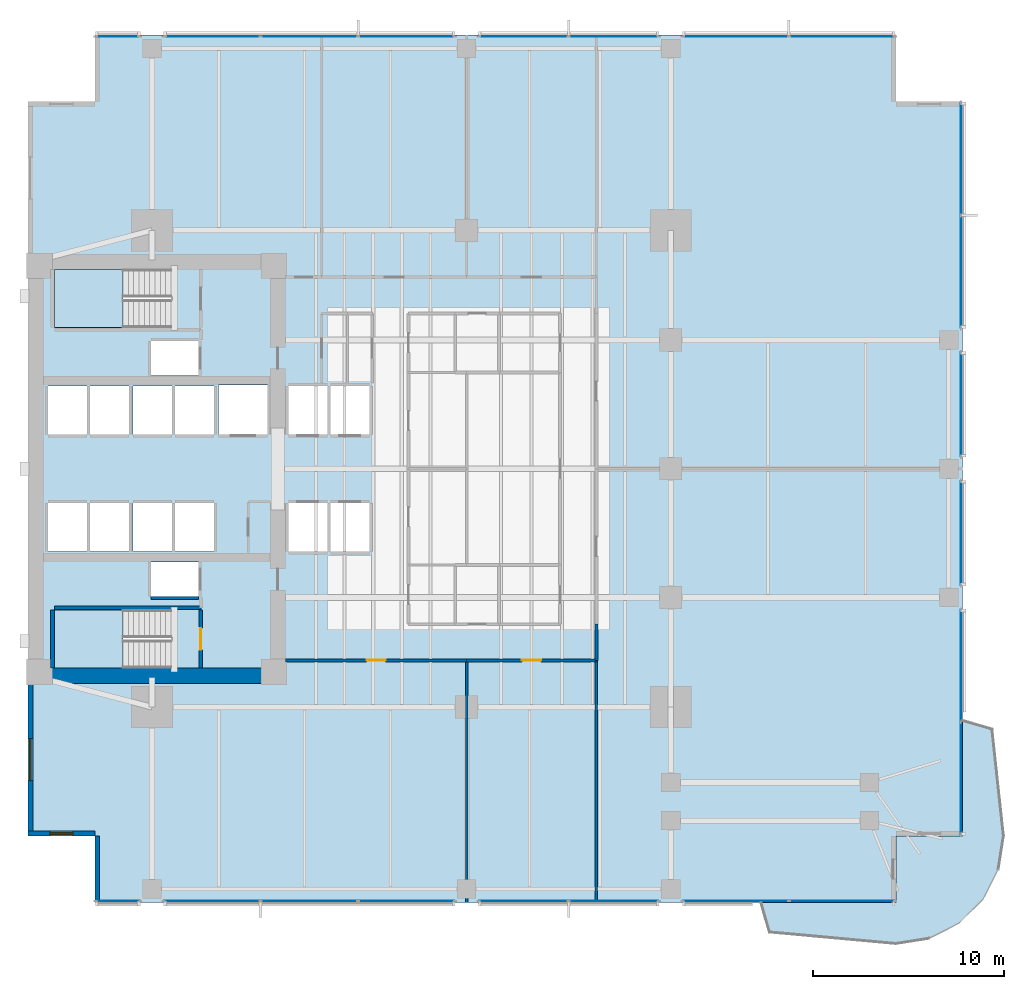
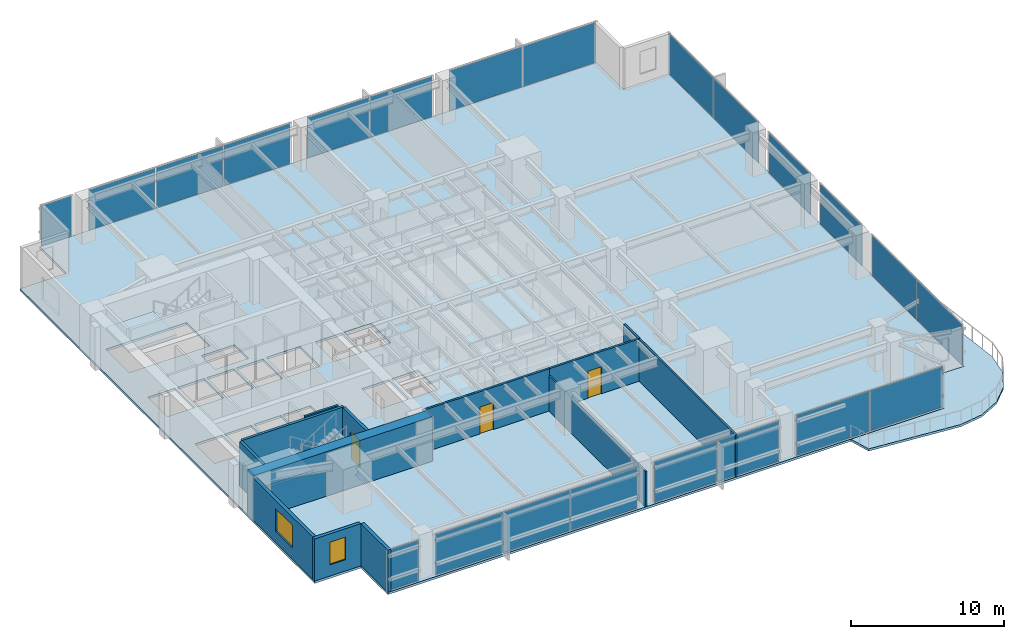
# One storey, part 7 of 15: 22 plates, 13 walls, 4 slabs, 3 doors, 2 windows, 5 openings, 14 elements without a shape of their own.
"""IFC4 building model written with IfcOpenShell, lengths in metres."""

from ifc_helpers import new_model, si_unit, direction, frame, frame_2d, origin, origin_2d, place, context, subcontext, project, spatial, polyline, rectangle, outline, extrude, material, layer, layer_set, type_object, element, fill, aggregate, save


model = new_model("IFC4")

# Units and contexts
model_context = context("Model", 3, precision=1e-05, world=origin(), true_north=direction((0.0, 1.0)))
body_context = subcontext(model_context, "Body", "Model", "MODEL_VIEW")
ifc_project = project(units=[si_unit("LENGTHUNIT", "METRE"), si_unit("AREAUNIT", "SQUARE_METRE"), si_unit("VOLUMEUNIT", "CUBIC_METRE"), si_unit("PLANEANGLEUNIT", "RADIAN"), si_unit("MASSUNIT", "GRAM", prefix="KILO")], contexts=[model_context])

# Site, building, storey
site_placement = place(None, origin())
site = spatial("IfcSite", under=ifc_project, at=site_placement, CompositionType="ELEMENT")
building_placement = place(site_placement, origin())
building = spatial("IfcBuilding", under=site, at=building_placement, Name="Kinhvarn Gate Tower", CompositionType="ELEMENT")
storey_placement = place(building_placement, frame((0.0, 0.0, 36.25)))
storey = spatial("IfcBuildingStorey", under=building, at=storey_placement, Name="L08", CompositionType="ELEMENT", Elevation=36.25)

# Curtain wall, plate
ifc_material_1 = material(Name="Anodised aluminium AW-6063", Category="aluminium")
ifc_layer_1 = layer(ifc_material_1, 0.179931640625)
ifc_layer_set_1 = layer_set([ifc_layer_1], Name="Anodised aluminium AW-6063")
curtain_wall_type = type_object("IfcCurtainWallType", Name="CW-SYS-2", PredefinedType="NOTDEFINED", material=ifc_layer_set_1)
curtain_wall_1_placement = place(storey_placement, origin())
curtain_wall_1 = element("IfcCurtainWall", 1, at=curtain_wall_1_placement, inside=storey, type_object=curtain_wall_type, Name="Curtain Wall CW2 (L08)", PredefinedType="NOTDEFINED")
ifc_material_2 = material(Name="Clear low-e double glazing", Category="glass")
ifc_layer_2 = layer(ifc_material_2, 0.031982421875)
ifc_layer_set_2 = layer_set([ifc_layer_2], Name="Clear low-e double glazing")
plate_type = type_object("IfcPlateType", Name="CW-PNL-VIS", PredefinedType="CURTAIN_PANEL", material=ifc_layer_set_2)
plate_1_placement = place(storey_placement, frame((9.2099609375, 2.590087890625, 0.070068359375), z_axis=(0.0, 0.0, 1.0), x_axis=(1.0, 0.0, 0.0)))
plate_1 = element("IfcPlate", 2, at=plate_1_placement, type_object=plate_type, Name="CW2 panel 1.1", PredefinedType="CURTAIN_PANEL", context=body_context, shape_type="SweptSolid", body=[
    extrude(rectangle(XDim=2.280029296875, YDim=0.031982421875, at=origin_2d()), origin(), (0.0, 0.0, 1.0), 3.22998046875),
])
aggregate(curtain_wall_1, [plate_1])

# Curtain wall, plates
curtain_wall_2_placement = place(storey_placement, origin())
curtain_wall_2 = element("IfcCurtainWall", 3, at=curtain_wall_2_placement, inside=storey, type_object=curtain_wall_type, Name="Curtain Wall CW2 (L08)", PredefinedType="NOTDEFINED")
plate_2_placement = place(storey_placement, frame((14.154052734375, 2.590087890625, 0.070068359375), z_axis=(0.0, 0.0, 1.0), x_axis=(1.0, 0.0, 0.0)))
plate_2 = element("IfcPlate", 4, at=plate_2_placement, type_object=plate_type, Name="CW2 panel 1.1", PredefinedType="CURTAIN_PANEL", context=body_context, shape_type="SweptSolid", body=[
    extrude(rectangle(XDim=5.00830078125, YDim=0.031982421875, at=origin_2d()), origin(), (0.0, 0.0, 1.0), 3.22998046875),
])
plate_3_placement = place(storey_placement, frame((19.25, 2.590087890625, 0.070068359375), z_axis=(0.0, 0.0, 1.0), x_axis=(1.0, 0.0, 0.0)))
plate_3 = element("IfcPlate", 5, at=plate_3_placement, type_object=plate_type, Name="CW2 panel 2.1", PredefinedType="CURTAIN_PANEL", context=body_context, shape_type="SweptSolid", body=[
    extrude(rectangle(XDim=5.043212890625, YDim=0.031982421875, at=origin_2d()), origin(), (0.0, 0.0, 1.0), 3.22998046875),
])
plate_4_placement = place(storey_placement, frame((24.345947265625, 2.590087890625, 0.070068359375), z_axis=(0.0, 0.0, 1.0), x_axis=(1.0, 0.0, 0.0)))
plate_4 = element("IfcPlate", 6, at=plate_4_placement, type_object=plate_type, Name="CW2 panel 3.1", PredefinedType="CURTAIN_PANEL", context=body_context, shape_type="SweptSolid", body=[
    extrude(rectangle(XDim=5.00830078125, YDim=0.031982421875, at=origin_2d()), origin(), (0.0, 0.0, 1.0), 3.22998046875),
])
aggregate(curtain_wall_2, [plate_2, plate_3, plate_4])

curtain_wall_3_placement = place(storey_placement, origin())
curtain_wall_3 = element("IfcCurtainWall", 7, at=curtain_wall_3_placement, inside=storey, type_object=curtain_wall_type, Name="Curtain Wall CW2 (L08)", PredefinedType="NOTDEFINED")
plate_5_placement = place(storey_placement, frame((30.482421875, 2.590087890625, 0.070068359375), z_axis=(0.0, 0.0, 1.0), x_axis=(1.0, 0.0, 0.0)))
plate_5 = element("IfcPlate", 8, at=plate_5_placement, type_object=plate_type, Name="CW2 panel 1.1", PredefinedType="CURTAIN_PANEL", context=body_context, shape_type="SweptSolid", body=[
    extrude(rectangle(XDim=4.6650390625, YDim=0.031982421875, at=origin_2d()), origin(), (0.0, 0.0, 1.0), 3.22998046875),
])
plate_6_placement = place(storey_placement, frame((35.217529296875, 2.590087890625, 0.070068359375), z_axis=(0.0, 0.0, 1.0), x_axis=(1.0, 0.0, 0.0)))
plate_6 = element("IfcPlate", 9, at=plate_6_placement, type_object=plate_type, Name="CW2 panel 2.1", PredefinedType="CURTAIN_PANEL", context=body_context, shape_type="SweptSolid", body=[
    extrude(rectangle(XDim=4.6650390625, YDim=0.031982421875, at=origin_2d()), origin(), (0.0, 0.0, 1.0), 3.22998046875),
])
aggregate(curtain_wall_3, [plate_5, plate_6])

curtain_wall_4_placement = place(storey_placement, origin())
curtain_wall_4 = element("IfcCurtainWall", 10, at=curtain_wall_4_placement, inside=storey, type_object=curtain_wall_type, Name="Curtain Wall CW2 (L08)", PredefinedType="NOTDEFINED")
plate_7_placement = place(storey_placement, frame((41.6025390625, 2.590087890625, 0.070068359375), z_axis=(0.0, 0.0, 1.0), x_axis=(1.0, 0.0, 0.0)))
plate_7 = element("IfcPlate", 11, at=plate_7_placement, type_object=plate_type, Name="CW2 panel 1.1", PredefinedType="CURTAIN_PANEL", context=body_context, shape_type="SweptSolid", body=[
    extrude(rectangle(XDim=5.5048828125, YDim=0.031982421875, at=origin_2d()), origin(), (0.0, 0.0, 1.0), 3.22998046875),
])
plate_8_placement = place(storey_placement, frame((47.177490234375, 2.590087890625, 0.070068359375), z_axis=(0.0, 0.0, 1.0), x_axis=(1.0, 0.0, 0.0)))
plate_8 = element("IfcPlate", 12, at=plate_8_placement, type_object=plate_type, Name="CW2 panel 2.1", PredefinedType="CURTAIN_PANEL", context=body_context, shape_type="SweptSolid", body=[
    extrude(rectangle(XDim=5.5048828125, YDim=0.031982421875, at=origin_2d()), origin(), (0.0, 0.0, 1.0), 3.22998046875),
])
aggregate(curtain_wall_4, [plate_7, plate_8])

curtain_wall_5_placement = place(storey_placement, origin())
curtain_wall_5 = element("IfcCurtainWall", 13, at=curtain_wall_5_placement, inside=storey, type_object=curtain_wall_type, Name="Curtain Wall CW2 (L08)", PredefinedType="NOTDEFINED")
plate_9_placement = place(storey_placement, frame((47.177490234375, 47.909912109375, 0.070068359375), z_axis=(0.0, 0.0, 1.0), x_axis=(-1.0, 0.0, 0.0)))
plate_9 = element("IfcPlate", 14, at=plate_9_placement, type_object=plate_type, Name="CW2 panel 1.1", PredefinedType="CURTAIN_PANEL", context=body_context, shape_type="SweptSolid", body=[
    extrude(rectangle(XDim=5.5048828125, YDim=0.031982421875, at=origin_2d()), origin(), (0.0, 0.0, 1.0), 3.22998046875),
])
plate_10_placement = place(storey_placement, frame((41.6025390625, 47.909912109375, 0.070068359375), z_axis=(0.0, 0.0, 1.0), x_axis=(-1.0, 0.0, 0.0)))
plate_10 = element("IfcPlate", 15, at=plate_10_placement, type_object=plate_type, Name="CW2 panel 2.1", PredefinedType="CURTAIN_PANEL", context=body_context, shape_type="SweptSolid", body=[
    extrude(rectangle(XDim=5.5048828125, YDim=0.031982421875, at=origin_2d()), origin(), (0.0, 0.0, 1.0), 3.22998046875),
])
aggregate(curtain_wall_5, [plate_9, plate_10])

curtain_wall_6_placement = place(storey_placement, origin())
curtain_wall_6 = element("IfcCurtainWall", 16, at=curtain_wall_6_placement, inside=storey, type_object=curtain_wall_type, Name="Curtain Wall CW2 (L08)", PredefinedType="NOTDEFINED")
plate_11_placement = place(storey_placement, frame((35.217529296875, 47.909912109375, 0.070068359375), z_axis=(0.0, 0.0, 1.0), x_axis=(-1.0, 0.0, 0.0)))
plate_11 = element("IfcPlate", 17, at=plate_11_placement, type_object=plate_type, Name="CW2 panel 1.1", PredefinedType="CURTAIN_PANEL", context=body_context, shape_type="SweptSolid", body=[
    extrude(rectangle(XDim=4.6650390625, YDim=0.031982421875, at=origin_2d()), origin(), (0.0, 0.0, 1.0), 3.22998046875),
])
plate_12_placement = place(storey_placement, frame((30.482421875, 47.909912109375, 0.070068359375), z_axis=(0.0, 0.0, 1.0), x_axis=(-1.0, 0.0, 0.0)))
plate_12 = element("IfcPlate", 18, at=plate_12_placement, type_object=plate_type, Name="CW2 panel 2.1", PredefinedType="CURTAIN_PANEL", context=body_context, shape_type="SweptSolid", body=[
    extrude(rectangle(XDim=4.6650390625, YDim=0.031982421875, at=origin_2d()), origin(), (0.0, 0.0, 1.0), 3.22998046875),
])
aggregate(curtain_wall_6, [plate_11, plate_12])

curtain_wall_7_placement = place(storey_placement, origin())
curtain_wall_7 = element("IfcCurtainWall", 19, at=curtain_wall_7_placement, inside=storey, type_object=curtain_wall_type, Name="Curtain Wall CW2 (L08)", PredefinedType="NOTDEFINED")
plate_13_placement = place(storey_placement, frame((24.345947265625, 47.909912109375, 0.070068359375), z_axis=(0.0, 0.0, 1.0), x_axis=(-1.0, 0.0, 0.0)))
plate_13 = element("IfcPlate", 20, at=plate_13_placement, type_object=plate_type, Name="CW2 panel 1.1", PredefinedType="CURTAIN_PANEL", context=body_context, shape_type="SweptSolid", body=[
    extrude(rectangle(XDim=5.00830078125, YDim=0.031982421875, at=origin_2d()), origin(), (0.0, 0.0, 1.0), 3.22998046875),
])
plate_14_placement = place(storey_placement, frame((19.25, 47.909912109375, 0.070068359375), z_axis=(0.0, 0.0, 1.0), x_axis=(-1.0, 0.0, 0.0)))
plate_14 = element("IfcPlate", 21, at=plate_14_placement, type_object=plate_type, Name="CW2 panel 2.1", PredefinedType="CURTAIN_PANEL", context=body_context, shape_type="SweptSolid", body=[
    extrude(rectangle(XDim=5.043212890625, YDim=0.031982421875, at=origin_2d()), origin(), (0.0, 0.0, 1.0), 3.22998046875),
])
plate_15_placement = place(storey_placement, frame((14.154052734375, 47.909912109375, 0.070068359375), z_axis=(0.0, 0.0, 1.0), x_axis=(-1.0, 0.0, 0.0)))
plate_15 = element("IfcPlate", 22, at=plate_15_placement, type_object=plate_type, Name="CW2 panel 3.1", PredefinedType="CURTAIN_PANEL", context=body_context, shape_type="SweptSolid", body=[
    extrude(rectangle(XDim=5.00830078125, YDim=0.031982421875, at=origin_2d()), origin(), (0.0, 0.0, 1.0), 3.22998046875),
])
aggregate(curtain_wall_7, [plate_13, plate_14, plate_15])

# Curtain wall, plate
curtain_wall_8_placement = place(storey_placement, origin())
curtain_wall_8 = element("IfcCurtainWall", 23, at=curtain_wall_8_placement, inside=storey, type_object=curtain_wall_type, Name="Curtain Wall CW2 (L08)", PredefinedType="NOTDEFINED")
plate_16_placement = place(storey_placement, frame((9.2099609375, 47.909912109375, 0.070068359375), z_axis=(0.0, 0.0, 1.0), x_axis=(-1.0, 0.0, 0.0)))
plate_16 = element("IfcPlate", 24, at=plate_16_placement, type_object=plate_type, Name="CW2 panel 1.1", PredefinedType="CURTAIN_PANEL", context=body_context, shape_type="SweptSolid", body=[
    extrude(rectangle(XDim=2.280029296875, YDim=0.031982421875, at=origin_2d()), origin(), (0.0, 0.0, 1.0), 3.22998046875),
])
aggregate(curtain_wall_8, [plate_16])

# Curtain wall, plates
curtain_wall_9_placement = place(storey_placement, origin())
curtain_wall_9 = element("IfcCurtainWall", 25, at=curtain_wall_9_placement, inside=storey, type_object=curtain_wall_type, Name="Curtain Wall CW2 (L08)", PredefinedType="NOTDEFINED")
plate_17_placement = place(storey_placement, frame((53.409912109375, 8.99755859375, 0.070068359375), z_axis=(0.0, 0.0, 1.0), x_axis=(0.0, 1.0, 0.0)))
plate_17 = element("IfcPlate", 26, at=plate_17_placement, type_object=plate_type, Name="CW2 panel 1.1", PredefinedType="CURTAIN_PANEL", context=body_context, shape_type="SweptSolid", body=[
    extrude(rectangle(XDim=5.85498046875, YDim=0.031982421875, at=origin_2d()), origin(), (0.0, 0.0, 1.0), 3.22998046875),
])
plate_18_placement = place(storey_placement, frame((53.409912109375, 14.922607421875, 0.070068359375), z_axis=(0.0, 0.0, 1.0), x_axis=(0.0, 1.0, 0.0)))
plate_18 = element("IfcPlate", 27, at=plate_18_placement, type_object=plate_type, Name="CW2 panel 2.1", PredefinedType="CURTAIN_PANEL", context=body_context, shape_type="SweptSolid", body=[
    extrude(rectangle(XDim=5.85498046875, YDim=0.031982421875, at=origin_2d()), origin(), (0.0, 0.0, 1.0), 3.22998046875),
])
aggregate(curtain_wall_9, [plate_17, plate_18])

# Curtain wall, plate
curtain_wall_10_placement = place(storey_placement, origin())
curtain_wall_10 = element("IfcCurtainWall", 28, at=curtain_wall_10_placement, inside=storey, type_object=curtain_wall_type, Name="Curtain Wall CW2 (L08)", PredefinedType="NOTDEFINED")
plate_19_placement = place(storey_placement, frame((53.409912109375, 21.875, 0.070068359375), z_axis=(0.0, 0.0, 1.0), x_axis=(0.0, 1.0, 0.0)))
plate_19 = element("IfcPlate", 29, at=plate_19_placement, type_object=plate_type, Name="CW2 panel 1.1", PredefinedType="CURTAIN_PANEL", context=body_context, shape_type="SweptSolid", body=[
    extrude(rectangle(XDim=5.449951171875, YDim=0.031982421875, at=origin_2d()), origin(), (0.0, 0.0, 1.0), 3.22998046875),
])
aggregate(curtain_wall_10, [plate_19])

curtain_wall_11_placement = place(storey_placement, origin())
curtain_wall_11 = element("IfcCurtainWall", 30, at=curtain_wall_11_placement, inside=storey, type_object=curtain_wall_type, Name="Curtain Wall CW2 (L08)", PredefinedType="NOTDEFINED")
plate_20_placement = place(storey_placement, frame((53.409912109375, 28.625, 0.070068359375), z_axis=(0.0, 0.0, 1.0), x_axis=(0.0, 1.0, 0.0)))
plate_20 = element("IfcPlate", 31, at=plate_20_placement, type_object=plate_type, Name="CW2 panel 1.1", PredefinedType="CURTAIN_PANEL", context=body_context, shape_type="SweptSolid", body=[
    extrude(rectangle(XDim=5.449951171875, YDim=0.031982421875, at=origin_2d()), origin(), (0.0, 0.0, 1.0), 3.22998046875),
])
aggregate(curtain_wall_11, [plate_20])

# Curtain wall, plates
curtain_wall_12_placement = place(storey_placement, origin())
curtain_wall_12 = element("IfcCurtainWall", 32, at=curtain_wall_12_placement, inside=storey, type_object=curtain_wall_type, Name="Curtain Wall CW2 (L08)", PredefinedType="NOTDEFINED")
plate_21_placement = place(storey_placement, frame((53.409912109375, 35.577392578125, 0.070068359375), z_axis=(0.0, 0.0, 1.0), x_axis=(0.0, 1.0, 0.0)))
plate_21 = element("IfcPlate", 33, at=plate_21_placement, type_object=plate_type, Name="CW2 panel 1.1", PredefinedType="CURTAIN_PANEL", context=body_context, shape_type="SweptSolid", body=[
    extrude(rectangle(XDim=5.85498046875, YDim=0.031982421875, at=origin_2d()), origin(), (0.0, 0.0, 1.0), 3.22998046875),
])
plate_22_placement = place(storey_placement, frame((53.409912109375, 41.50244140625, 0.070068359375), z_axis=(0.0, 0.0, 1.0), x_axis=(0.0, 1.0, 0.0)))
plate_22 = element("IfcPlate", 34, at=plate_22_placement, type_object=plate_type, Name="CW2 panel 2.1", PredefinedType="CURTAIN_PANEL", context=body_context, shape_type="SweptSolid", body=[
    extrude(rectangle(XDim=5.85498046875, YDim=0.031982421875, at=origin_2d()), origin(), (0.0, 0.0, 1.0), 3.22998046875),
])
aggregate(curtain_wall_12, [plate_21, plate_22])

# Slabs
ifc_material_3 = material(Name="Precast white architectural concrete C40/50", Category="concrete")
ifc_layer_3 = layer(ifc_material_3, 0.179931640625)
ifc_layer_set_3 = layer_set([ifc_layer_3], Name="Precast white architectural concrete C40/50")
slab_type_1 = type_object("IfcSlabType", Name="SLB-BAL-180", PredefinedType="FLOOR", material=ifc_layer_set_3)
slab_1_placement = place(storey_placement, frame((0.0, 0.0, -0.179931640625)))
element("IfcSlab", 35, at=slab_1_placement, inside=storey, type_object=slab_type_1, Name="S-Carve Curved Terrace Balcony Slab L08 (SE)", PredefinedType="FLOOR", context=body_context, shape_type="SweptSolid", body=[
    extrude(outline(polyline([(42.93603515625, 2.5), (43.385986328125, 0.951904296875), (50.0, 0.35009765625), (51.745849609375, 0.62646484375), (53.321044921875, 1.42919921875), (54.57080078125, 2.678955078125), (55.37353515625, 4.254150390625), (55.64990234375, 6.0), (55.048095703125, 11.590087890625), (53.5, 12.0400390625), (53.5, 6.0), (50.0, 6.0), (50.0, 2.5), (42.93603515625, 2.5)])), origin(), (0.0, 0.0, 1.0), 0.179931640625),
])
ifc_material_4 = material(Name="Concrete C40/50", Category="concrete")
ifc_layer_4 = layer(ifc_material_4, 0.179931640625)
ifc_layer_set_4 = layer_set([ifc_layer_4], Name="Concrete C40/50")
slab_type_2 = type_object("IfcSlabType", Name="SLB-FLR-180", PredefinedType="FLOOR", material=ifc_layer_set_4)
slab_2_placement = place(storey_placement, frame((0.0, 0.0, -0.179931640625)))
element("IfcSlab", 36, at=slab_2_placement, inside=storey, type_object=slab_type_2, Name="Suspended Floor Slab L08", PredefinedType="FLOOR", context=body_context, shape_type="SweptSolid", body=[
    extrude(outline(polyline([(8.0, 2.5), (50.0, 2.5), (50.0, 6.0), (53.5, 6.0), (53.5, 44.5), (50.0, 44.5), (50.0, 48.0), (8.0, 48.0), (8.0, 44.5), (4.5, 44.5), (4.5, 6.0), (8.0, 6.0), (8.0, 2.5)]), holes=[polyline([(5.89990234375, 14.800048828125), (12.0, 14.800048828125), (12.0, 17.85009765625), (5.89990234375, 17.85009765625), (5.89990234375, 14.800048828125)]), polyline([(5.89990234375, 32.64990234375), (12.0, 32.64990234375), (12.0, 35.699951171875), (5.89990234375, 35.699951171875), (5.89990234375, 32.64990234375)]), polyline([(18.14990234375, 20.89990234375), (20.199951171875, 20.89990234375), (20.199951171875, 23.449951171875), (18.14990234375, 23.449951171875), (18.14990234375, 20.89990234375)]), polyline([(20.35009765625, 20.89990234375), (22.39990234375, 20.89990234375), (22.39990234375, 23.449951171875), (20.35009765625, 23.449951171875), (20.35009765625, 20.89990234375)]), polyline([(18.14990234375, 27.050048828125), (20.199951171875, 27.050048828125), (20.199951171875, 29.60009765625), (18.14990234375, 29.60009765625), (18.14990234375, 27.050048828125)]), polyline([(20.35009765625, 27.050048828125), (22.39990234375, 27.050048828125), (22.39990234375, 29.60009765625), (20.35009765625, 29.60009765625), (20.35009765625, 27.050048828125)]), polyline([(5.550048828125, 20.89990234375), (7.60009765625, 20.89990234375), (7.60009765625, 23.449951171875), (5.550048828125, 23.449951171875), (5.550048828125, 20.89990234375)]), polyline([(7.75, 20.89990234375), (9.800048828125, 20.89990234375), (9.800048828125, 23.449951171875), (7.75, 23.449951171875), (7.75, 20.89990234375)]), polyline([(5.550048828125, 27.050048828125), (7.60009765625, 27.050048828125), (7.60009765625, 29.60009765625), (5.550048828125, 29.60009765625), (5.550048828125, 27.050048828125)]), polyline([(7.75, 27.050048828125), (9.800048828125, 27.050048828125), (9.800048828125, 29.60009765625), (7.75, 29.60009765625), (7.75, 27.050048828125)]), polyline([(10.0, 20.89990234375), (12.050048828125, 20.89990234375), (12.050048828125, 23.449951171875), (10.0, 23.449951171875), (10.0, 20.89990234375)]), polyline([(12.199951171875, 20.89990234375), (14.25, 20.89990234375), (14.25, 23.449951171875), (12.199951171875, 23.449951171875), (12.199951171875, 20.89990234375)]), polyline([(10.0, 27.050048828125), (12.050048828125, 27.050048828125), (12.050048828125, 29.60009765625), (10.0, 29.60009765625), (10.0, 27.050048828125)]), polyline([(12.199951171875, 27.050048828125), (14.25, 27.050048828125), (14.25, 29.60009765625), (12.199951171875, 29.60009765625), (12.199951171875, 27.050048828125)]), polyline([(14.5, 27.050048828125), (17.050048828125, 27.050048828125), (17.050048828125, 29.64990234375), (14.5, 29.64990234375), (14.5, 27.050048828125)]), polyline([(10.949951171875, 18.550048828125), (13.449951171875, 18.550048828125), (13.449951171875, 20.35009765625), (10.949951171875, 20.35009765625), (10.949951171875, 18.550048828125)]), polyline([(10.949951171875, 30.14990234375), (13.449951171875, 30.14990234375), (13.449951171875, 31.949951171875), (10.949951171875, 31.949951171875), (10.949951171875, 30.14990234375)])]), origin(), (0.0, 0.0, 1.0), 0.179931640625),
])

# Stair, slab
stair_type = type_object("IfcStairType", Name="STR-DLG-177", PredefinedType="HALF_TURN_STAIR", material=ifc_material_4)
stair_1_placement = place(storey_placement, origin())
stair_1 = element("IfcStair", 37, at=stair_1_placement, inside=storey, type_object=stair_type, Name="L08 Core Smokeproof Exit Stair ST1", PredefinedType="HALF_TURN_STAIR")
ifc_layer_5 = layer(ifc_material_4, 0.199951171875)
ifc_layer_set_5 = layer_set([ifc_layer_5], Name="Concrete C40/50")
slab_type_3 = type_object("IfcSlabType", Name="SLB-ST-LND", PredefinedType="LANDING", material=ifc_layer_set_5)
slab_3_placement = place(storey_placement, frame((0.0, 0.0, 1.574951171875)))
slab_3 = element("IfcSlab", 38, at=slab_3_placement, type_object=slab_type_3, Name="ST1 landing 1", PredefinedType="LANDING", context=body_context, shape_type="SweptSolid", body=[
    extrude(outline(polyline([(9.47998046875, 17.85009765625), (5.89990234375, 17.85009765625), (5.89990234375, 14.800048828125), (9.47998046875, 14.800048828125), (9.47998046875, 17.85009765625)])), origin(), (0.0, 0.0, 1.0), 0.199951171875),
])
aggregate(stair_1, [slab_3])

stair_2_placement = place(storey_placement, origin())
stair_2 = element("IfcStair", 39, at=stair_2_placement, inside=storey, type_object=stair_type, Name="L08 Core Smokeproof Exit Stair ST2", PredefinedType="HALF_TURN_STAIR")
slab_4_placement = place(storey_placement, frame((0.0, 0.0, 1.574951171875)))
slab_4 = element("IfcSlab", 40, at=slab_4_placement, type_object=slab_type_3, Name="ST2 landing 1", PredefinedType="LANDING", context=body_context, shape_type="SweptSolid", body=[
    extrude(outline(polyline([(9.47998046875, 35.699951171875), (5.89990234375, 35.699951171875), (5.89990234375, 32.64990234375), (9.47998046875, 32.64990234375), (9.47998046875, 35.699951171875)])), origin(), (0.0, 0.0, 1.0), 0.199951171875),
])
aggregate(stair_2, [slab_4])

# Wall
ifc_material_5 = material(Name="Concrete C70/85", Category="concrete")
ifc_layer_6 = layer(ifc_material_5, 0.800048828125)
ifc_layer_set_6 = layer_set([ifc_layer_6], Name="Concrete C70/85")
wall_type_1 = type_object("IfcWallType", Name="WL-CORE-800", PredefinedType="SHEAR", material=ifc_layer_set_6)
wall_1_placement = place(storey_placement, frame((4.5, 14.39990234375, 0.0), z_axis=(0.0, 0.0, 1.0), x_axis=(1.0, 0.0, 0.0)))
element("IfcWall", 41, at=wall_1_placement, inside=storey, type_object=wall_type_1, Name="Core South Shear Wall L08 800 mm", PredefinedType="SHEAR", context=body_context, shape_type="SweptSolid", body=[
    extrude(rectangle(XDim=13.5, YDim=0.800048828125, at=frame_2d((6.75, 0.0))), origin(), (0.0, 0.0, 1.0), 3.550048828125),
])

# Wall, opening, window
ifc_material_6 = material(Name="Fired architectural terracotta", Category="masonry")
ifc_layer_7 = layer(ifc_material_6, 0.25)
ifc_layer_set_7 = layer_set([ifc_layer_7], Name="Fired architectural terracotta")
wall_type_2 = type_object("IfcWallType", Name="WL-EXT-250", PredefinedType="SOLIDWALL", material=ifc_layer_set_7)
wall_2_placement = place(storey_placement, frame((4.625, 14.0, 0.0), z_axis=(0.0, 0.0, 1.0), x_axis=(0.0, -1.0, 0.0)))
wall_2 = element("IfcWall", 42, at=wall_2_placement, inside=storey, type_object=wall_type_2, Name="Exterior Solidwall Wall EW-250 (L08 West-South)", PredefinedType="SOLIDWALL", context=body_context, shape_type="SweptSolid", body=[
    extrude(rectangle(XDim=8.0, YDim=0.25, at=frame_2d((4.0, 0.0))), origin(), (0.0, 0.0, 1.0), 3.3701171875),
])
opening_1_placement = place(wall_2_placement, frame((2.89990234375, 0.0, 0.89990234375)))
opening_1 = element("IfcOpeningElement", 43, at=opening_1_placement, cuts=wall_2, Name="Opening WN-01", PredefinedType="OPENING", context=body_context, shape_type="SweptSolid", body=[
    extrude(rectangle(XDim=2.199951171875, YDim=1.800048828125, at=frame_2d((1.10009765625, 0.89990234375))), frame((0.0, 0.135009765625, 0.0), z_axis=(0.0, -1.0, 0.0), x_axis=(1.0, 0.0, 0.0)), (0.0, 0.0, 1.0), 0.27001953125),
])
window_type_1 = type_object("IfcWindowType", Name="WIN-RIB-2200", PartitioningType="SINGLE_PANEL", PredefinedType="WINDOW", material=ifc_material_2)
window_1_placement = place(opening_1_placement, origin())
window_1 = element("IfcWindow", 44, at=window_1_placement, inside=storey, type_object=window_type_1, Name="West Flank Double-Glazed Ribbon Window 2200x1800 mm (L08)", OverallHeight=1.800048828125, OverallWidth=2.199951171875, PartitioningType="SINGLE_PANEL", PredefinedType="WINDOW", context=body_context, shape_type="SweptSolid", body=[
    extrude(rectangle(XDim=2.199951171875, YDim=1.800048828125, at=frame_2d((1.10009765625, 0.89990234375))), frame((0.0, 0.030029296875, 0.0), z_axis=(0.0, -1.0, 0.0), x_axis=(1.0, 0.0, 0.0)), (0.0, 0.0, 1.0), 0.06005859375),
])
fill(opening_1, window_1)

wall_3_placement = place(storey_placement, frame((4.5, 6.125, 0.0), z_axis=(0.0, 0.0, 1.0), x_axis=(1.0, 0.0, 0.0)))
wall_3 = element("IfcWall", 45, at=wall_3_placement, inside=storey, type_object=wall_type_2, Name="Exterior Solidwall Wall EW-250 (L08 SW-Notch-1)", PredefinedType="SOLIDWALL", context=body_context, shape_type="SweptSolid", body=[
    extrude(rectangle(XDim=3.5, YDim=0.25, at=frame_2d((1.75, 0.0))), origin(), (0.0, 0.0, 1.0), 3.3701171875),
])
opening_2_placement = place(wall_3_placement, frame((1.14990234375, 0.0, 0.89990234375)))
opening_2 = element("IfcOpeningElement", 46, at=opening_2_placement, cuts=wall_3, Name="Opening WN-02", PredefinedType="OPENING", context=body_context, shape_type="SweptSolid", body=[
    extrude(rectangle(XDim=1.199951171875, YDim=1.800048828125, at=frame_2d((0.60009765625, 0.89990234375))), frame((0.0, 0.135009765625, 0.0), z_axis=(0.0, -1.0, 0.0), x_axis=(1.0, 0.0, 0.0)), (0.0, 0.0, 1.0), 0.27001953125),
])
window_type_2 = type_object("IfcWindowType", Name="WIN-NTC-1200", PartitioningType="SINGLE_PANEL", PredefinedType="WINDOW", material=ifc_material_2)
window_2_placement = place(opening_2_placement, origin())
window_2 = element("IfcWindow", 47, at=window_2_placement, inside=storey, type_object=window_type_2, Name="Recessed Corner Notch Punched Window 1200x1800 mm (L08)", OverallHeight=1.800048828125, OverallWidth=1.199951171875, PartitioningType="SINGLE_PANEL", PredefinedType="WINDOW", context=body_context, shape_type="SweptSolid", body=[
    extrude(rectangle(XDim=1.199951171875, YDim=1.800048828125, at=frame_2d((0.60009765625, 0.89990234375))), frame((0.0, 0.030029296875, 0.0), z_axis=(0.0, -1.0, 0.0), x_axis=(1.0, 0.0, 0.0)), (0.0, 0.0, 1.0), 0.06005859375),
])
fill(opening_2, window_2)

# Walls
wall_4_placement = place(storey_placement, frame((8.125, 6.0, 0.0), z_axis=(0.0, 0.0, 1.0), x_axis=(0.0, -1.0, 0.0)))
element("IfcWall", 48, at=wall_4_placement, inside=storey, type_object=wall_type_2, Name="Exterior Solidwall Wall EW-250 (L08 SW-Notch-2)", PredefinedType="SOLIDWALL", context=body_context, shape_type="SweptSolid", body=[
    extrude(rectangle(XDim=3.5, YDim=0.25, at=frame_2d((1.75, 0.0))), origin(), (0.0, 0.0, 1.0), 3.3701171875),
])
ifc_material_7 = material(Name="Gypsum acoustic partition board")
ifc_layer_8 = layer(ifc_material_7, 0.1201171875)
ifc_layer_set_8 = layer_set([ifc_layer_8], Name="Gypsum acoustic partition board")
wall_type_3 = type_object("IfcWallType", Name="WL-PRT-120", PredefinedType="PARTITIONING", material=ifc_layer_set_8)
wall_5_placement = place(storey_placement, frame((27.5, 2.510009765625, 0.0), z_axis=(0.0, 0.0, 1.0), x_axis=(0.0, 1.0, 0.0)))
element("IfcWall", 49, at=wall_5_placement, inside=storey, type_object=wall_type_3, Name="Interior Partition PW-120 (L08)", PredefinedType="PARTITIONING", context=body_context, shape_type="SweptSolid", body=[
    extrude(rectangle(XDim=12.68994140625, YDim=0.1201171875, at=frame_2d((6.344970703125, 0.0))), origin(), (0.0, 0.0, 1.0), 2.820068359375),
])
wall_6_placement = place(storey_placement, frame((34.300048828125, 2.510009765625, 0.0), z_axis=(0.0, 0.0, 1.0), x_axis=(0.0, 1.0, 0.0)))
element("IfcWall", 50, at=wall_6_placement, inside=storey, type_object=wall_type_3, Name="Interior Partition PW-120 (L08)", PredefinedType="PARTITIONING", context=body_context, shape_type="SweptSolid", body=[
    extrude(rectangle(XDim=12.68994140625, YDim=0.1201171875, at=frame_2d((6.344970703125, 0.0))), origin(), (0.0, 0.0, 1.0), 3.3701171875),
])

# Wall, opening, door
ifc_layer_9 = layer(ifc_material_7, 0.14990234375)
ifc_layer_set_9 = layer_set([ifc_layer_9], Name="Gypsum acoustic partition board")
wall_type_4 = type_object("IfcWallType", Name="WL-PRT-150F", PredefinedType="PARTITIONING", material=ifc_layer_set_9)
wall_7_placement = place(storey_placement, frame((18.0, 15.199951171875, 0.0), z_axis=(0.0, 0.0, 1.0), x_axis=(1.0, 0.0, 0.0)))
wall_7 = element("IfcWall", 51, at=wall_7_placement, inside=storey, type_object=wall_type_4, Name="Interior Partition PW-150F (L08)", PredefinedType="PARTITIONING", context=body_context, shape_type="SweptSolid", body=[
    extrude(rectangle(XDim=9.5, YDim=0.14990234375, at=frame_2d((4.75, 0.0))), origin(), (0.0, 0.0, 1.0), 3.3701171875),
])
opening_3_placement = place(wall_7_placement, frame((4.25, 0.0, 0.0)))
opening_3 = element("IfcOpeningElement", 52, at=opening_3_placement, cuts=wall_7, Name="Opening ID-02", PredefinedType="OPENING", context=body_context, shape_type="SweptSolid", body=[
    extrude(rectangle(XDim=1.0, YDim=2.14990234375, at=frame_2d((0.5, 1.074951171875))), frame((0.0, 0.0849609375, 0.0), z_axis=(0.0, -1.0, 0.0), x_axis=(1.0, 0.0, 0.0)), (0.0, 0.0, 1.0), 0.169921875),
])
door_type_1 = type_object("IfcDoorType", Name="DR-INT-1000", OperationType="NOTDEFINED", PredefinedType="DOOR", material=ifc_material_1)
door_1_placement = place(opening_3_placement, origin())
door_1 = element("IfcDoor", 53, at=door_1_placement, inside=storey, type_object=door_type_1, Name="Standard Office & Meeting Room Door 1000x2150 mm (L08)", OperationType="SINGLE_SWING_LEFT", OverallHeight=2.14990234375, OverallWidth=1.0, PredefinedType="DOOR", context=body_context, shape_type="SweptSolid", body=[
    extrude(rectangle(XDim=1.0, YDim=2.14990234375, at=frame_2d((0.5, 1.074951171875))), frame((0.0, 0.02490234375, 0.0), z_axis=(0.0, -1.0, 0.0), x_axis=(1.0, 0.0, 0.0)), (0.0, 0.0, 1.0), 0.050048828125),
])
fill(opening_3, door_1)

wall_8_placement = place(storey_placement, frame((27.5, 15.199951171875, 0.0), z_axis=(0.0, 0.0, 1.0), x_axis=(1.0, 0.0, 0.0)))
wall_8 = element("IfcWall", 54, at=wall_8_placement, inside=storey, type_object=wall_type_4, Name="Interior Partition PW-150F (L08)", PredefinedType="PARTITIONING", context=body_context, shape_type="SweptSolid", body=[
    extrude(rectangle(XDim=6.800048828125, YDim=0.14990234375, at=frame_2d((3.39990234375, 0.0))), origin(), (0.0, 0.0, 1.0), 3.3701171875),
])
opening_4_placement = place(wall_8_placement, frame((2.89990234375, 0.0, 0.0)))
opening_4 = element("IfcOpeningElement", 55, at=opening_4_placement, cuts=wall_8, Name="Opening ID-02", PredefinedType="OPENING", context=body_context, shape_type="SweptSolid", body=[
    extrude(rectangle(XDim=1.0, YDim=2.14990234375, at=frame_2d((0.5, 1.074951171875))), frame((0.0, 0.0849609375, 0.0), z_axis=(0.0, -1.0, 0.0), x_axis=(1.0, 0.0, 0.0)), (0.0, 0.0, 1.0), 0.169921875),
])
door_2_placement = place(opening_4_placement, origin())
door_2 = element("IfcDoor", 56, at=door_2_placement, inside=storey, type_object=door_type_1, Name="Standard Office & Meeting Room Door 1000x2150 mm (L08)", OperationType="SINGLE_SWING_RIGHT", OverallHeight=2.14990234375, OverallWidth=1.0, PredefinedType="DOOR", context=body_context, shape_type="SweptSolid", body=[
    extrude(rectangle(XDim=1.0, YDim=2.14990234375, at=frame_2d((0.5, 1.074951171875))), frame((0.0, 0.02490234375, 0.0), z_axis=(0.0, -1.0, 0.0), x_axis=(1.0, 0.0, 0.0)), (0.0, 0.0, 1.0), 0.050048828125),
])
fill(opening_4, door_2)

# Walls
wall_9_placement = place(storey_placement, frame((34.300048828125, 15.199951171875, 0.0), z_axis=(0.0, 0.0, 1.0), x_axis=(0.0, 1.0, 0.0)))
element("IfcWall", 57, at=wall_9_placement, inside=storey, type_object=wall_type_4, Name="Interior Partition PW-150F (L08)", PredefinedType="PARTITIONING", context=body_context, shape_type="SweptSolid", body=[
    extrude(rectangle(XDim=1.900146484375, YDim=0.14990234375, at=frame_2d((0.9501953125, 0.0))), origin(), (0.0, 0.0, 1.0), 3.3701171875),
])
ifc_layer_10 = layer(ifc_material_7, 0.14990234375)
ifc_layer_set_10 = layer_set([ifc_layer_10], Name="Gypsum acoustic partition board")
wall_type_5 = type_object("IfcWallType", Name="WL-SHF-150", PredefinedType="PARTITIONING", material=ifc_layer_set_10)
wall_10_placement = place(storey_placement, frame((10.949951171875, 18.47509765625, 0.0), z_axis=(0.0, 0.0, 1.0), x_axis=(1.0, 0.0, 0.0)))
element("IfcWall", 58, at=wall_10_placement, inside=storey, type_object=wall_type_5, Name="Elevator FF1 Hoistway Wall S (L08)", PredefinedType="PARTITIONING", context=body_context, shape_type="SweptSolid", body=[
    extrude(rectangle(XDim=2.5, YDim=0.14990234375, at=frame_2d((1.25, 0.0))), origin(), (0.0, 0.0, 1.0), 3.3701171875),
])
ifc_layer_11 = layer(ifc_material_4, 0.199951171875)
ifc_layer_set_11 = layer_set([ifc_layer_11], Name="Concrete C40/50")
wall_type_6 = type_object("IfcWallType", Name="WL-SHF-200", PredefinedType="SOLIDWALL", material=ifc_layer_set_11)
wall_11_placement = place(storey_placement, frame((5.7900390625, 14.800048828125, 0.0), z_axis=(0.0, 0.0, 1.0), x_axis=(0.0, 1.0, 0.0)))
element("IfcWall", 59, at=wall_11_placement, inside=storey, type_object=wall_type_6, Name="Stair ST1 West Shaft Wall (L08)", PredefinedType="SOLIDWALL", context=body_context, shape_type="SweptSolid", body=[
    extrude(rectangle(XDim=3.050048828125, YDim=0.199951171875, at=frame_2d((1.52490234375, 0.0))), origin(), (0.0, 0.0, 1.0), 3.550048828125),
])
wall_12_placement = place(storey_placement, frame((5.89990234375, 17.9599609375, 0.0), z_axis=(0.0, 0.0, 1.0), x_axis=(1.0, 0.0, 0.0)))
element("IfcWall", 60, at=wall_12_placement, inside=storey, type_object=wall_type_6, Name="Stair ST1 North Shaft Wall (L08)", PredefinedType="SOLIDWALL", context=body_context, shape_type="SweptSolid", body=[
    extrude(rectangle(XDim=7.66015625, YDim=0.199951171875, at=frame_2d((3.830078125, 0.0))), origin(), (0.0, 0.0, 1.0), 3.550048828125),
])

# Wall, opening, door
wall_13_placement = place(storey_placement, frame((13.56005859375, 14.800048828125, 0.0), z_axis=(0.0, 0.0, 1.0), x_axis=(0.0, 1.0, 0.0)))
wall_13 = element("IfcWall", 61, at=wall_13_placement, inside=storey, type_object=wall_type_6, Name="Stair ST1 East Entry Wall (L08)", PredefinedType="SOLIDWALL", context=body_context, shape_type="SweptSolid", body=[
    extrude(rectangle(XDim=3.050048828125, YDim=0.199951171875, at=frame_2d((1.52490234375, 0.0))), origin(), (0.0, 0.0, 1.0), 3.550048828125),
])
opening_5_placement = place(wall_13_placement, frame((0.949951171875, 0.0, 0.0)))
opening_5 = element("IfcOpeningElement", 62, at=opening_5_placement, cuts=wall_13, Name="Opening FD-01", PredefinedType="OPENING", context=body_context, shape_type="SweptSolid", body=[
    extrude(rectangle(XDim=1.14990234375, YDim=2.14990234375, at=frame_2d((0.574951171875, 1.074951171875))), frame((0.0, 0.10986328125, 0.0), z_axis=(0.0, -1.0, 0.0), x_axis=(1.0, 0.0, 0.0)), (0.0, 0.0, 1.0), 0.219970703125),
])
door_type_2 = type_object("IfcDoorType", Name="DR-ST-1150", OperationType="NOTDEFINED", PredefinedType="DOOR", material=ifc_material_1)
door_3_placement = place(opening_5_placement, origin())
door_3 = element("IfcDoor", 63, at=door_3_placement, inside=storey, type_object=door_type_2, Name="Exit Stair ST1 Fire Door (L08)", OperationType="SINGLE_SWING_RIGHT", OverallHeight=2.14990234375, OverallWidth=1.14990234375, PredefinedType="DOOR", context=body_context, shape_type="SweptSolid", body=[
    extrude(rectangle(XDim=1.14990234375, YDim=2.14990234375, at=frame_2d((0.574951171875, 1.074951171875))), frame((0.0, 0.02490234375, 0.0), z_axis=(0.0, -1.0, 0.0), x_axis=(1.0, 0.0, 0.0)), (0.0, 0.0, 1.0), 0.050048828125),
])
fill(opening_5, door_3)

save(model, "model.ifc")
